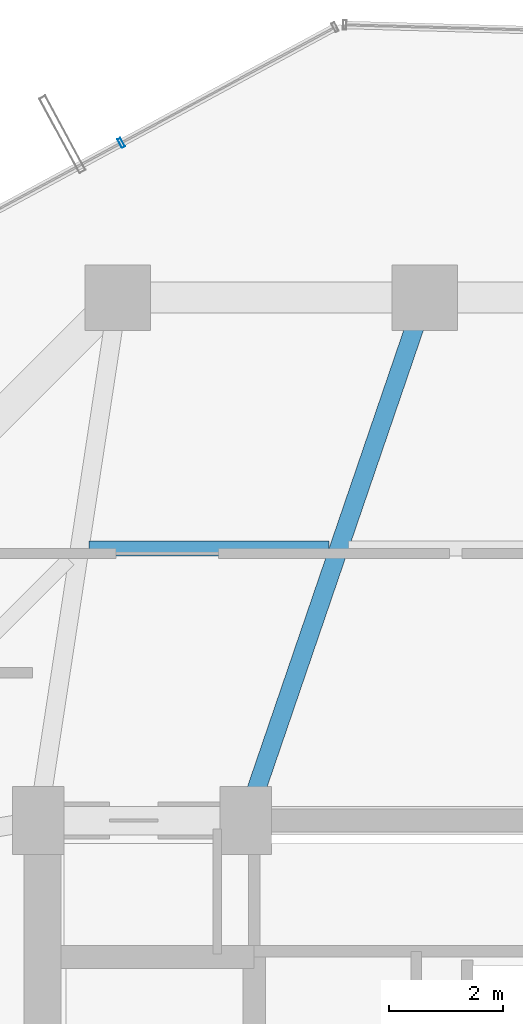
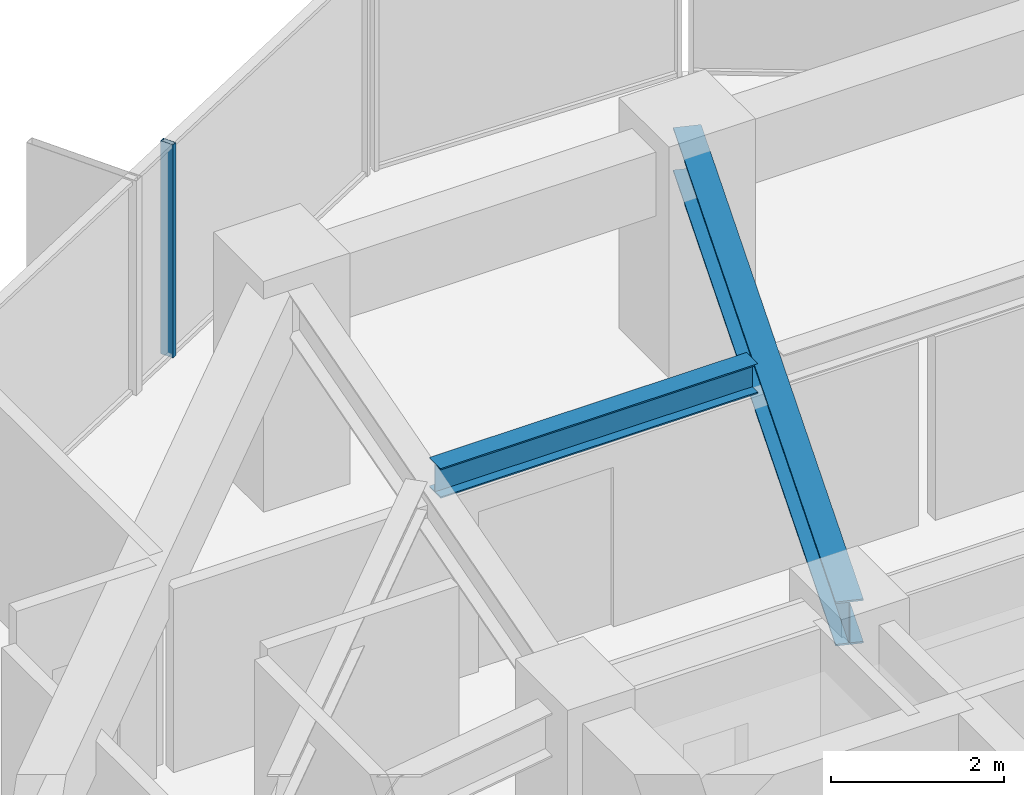
# One storey, part 19 of 30: 2 beams, 1 member, 1 element without a shape of its own.
"""IFC4 building model written with IfcOpenShell, lengths in metres."""

from ifc_helpers import new_model, si_unit, direction, frame, origin, origin_2d, place, context, subcontext, project, spatial, hollow_rectangle, i_section, extrude, source, transform, mapped, material, layer, layer_set, material_profile, profile_set, type_object, element, aggregate, save


model = new_model("IFC4")

# Units and contexts
model_context = context("Model", 3, precision=1e-05, world=origin(), true_north=direction((0.0, 1.0)))
body_context = subcontext(model_context, "Body", "Model", "MODEL_VIEW")
ifc_project = project(units=[si_unit("LENGTHUNIT", "METRE"), si_unit("AREAUNIT", "SQUARE_METRE"), si_unit("VOLUMEUNIT", "CUBIC_METRE"), si_unit("PLANEANGLEUNIT", "RADIAN"), si_unit("MASSUNIT", "GRAM", prefix="KILO")], contexts=[model_context])

# Site, building, storey
site_placement = place(None, origin())
site = spatial("IfcSite", under=ifc_project, at=site_placement, CompositionType="ELEMENT")
building_placement = place(site_placement, origin())
building = spatial("IfcBuilding", under=site, at=building_placement, Name="Veraguas Prism Commons", CompositionType="ELEMENT")
storey_placement = place(building_placement, frame((0.0, 0.0, 123.0)))
storey = spatial("IfcBuildingStorey", under=building, at=storey_placement, Name="L34", CompositionType="ELEMENT", Elevation=123.0)

# Beams
ifc_material_1 = material(Name="Steel ASTM A992 Grade 50", Category="steel")
ifc_material_profile_1 = material_profile(ifc_material_1, i_section(OverallWidth=0.260986328125, OverallDepth=0.419921875, WebThickness=0.01171875, FlangeThickness=0.019287109375, at=origin_2d()), Name="W410X114")
ifc_profile_set_1 = profile_set([ifc_material_profile_1], Name="Steel ASTM A992 Grade 50")
beam_type_1 = type_object("IfcBeamType", Name="Lower Floor Joist W410x114", PredefinedType="JOIST", material=ifc_profile_set_1)
beam_1_placement = place(storey_placement, frame((22.31689453125, 35.783935546875, 2.7900390625), z_axis=(-1.0, 0.0, 0.0), x_axis=(0.0, -1.0, 0.0)))
element("IfcBeam", 1, at=beam_1_placement, inside=storey, type_object=beam_type_1, Name="Composite Floor Joist L34-JS05", PredefinedType="JOIST", context=body_context, shape_type="SweptSolid", body=[
    extrude(i_section(OverallWidth=0.260986328125, OverallDepth=0.419921875, WebThickness=0.01171875, FlangeThickness=0.019287109375, at=origin_2d()), origin(), (0.0, 0.0, 1.0), 4.22509765625),
])
ifc_material_profile_2 = material_profile(ifc_material_1, i_section(OverallWidth=0.327880859375, OverallDepth=0.6220703125, WebThickness=0.015380859375, FlangeThickness=0.0244140625, at=origin_2d()), Name="W610X195")
ifc_profile_set_2 = profile_set([ifc_material_profile_2], Name="Steel ASTM A992 Grade 50")
beam_type_2 = type_object("IfcBeamType", Name="Zone 2 Radial Girder W610x195", PredefinedType="BEAM", material=ifc_profile_set_2)
beam_2_placement = place(storey_placement, frame((24.0, 40.199951171875, 2.68896484375), z_axis=(-0.323922482989, -0.946083624747, 0.0), x_axis=(0.946083624747, -0.323922482989, 0.0)))
element("IfcBeam", 2, at=beam_2_placement, inside=storey, type_object=beam_type_2, Name="Radial Floor Girder L34-RD05", PredefinedType="BEAM", context=body_context, shape_type="SweptSolid", body=[
    extrude(i_section(OverallWidth=0.327880859375, OverallDepth=0.6220703125, WebThickness=0.015380859375, FlangeThickness=0.0244140625, at=origin_2d()), origin(), (0.0, 0.0, 1.0), 9.724365234375),
])

# Curtain wall, member
ifc_material_2 = material(Name="Anodised aluminium EN AW-6063 T6", Category="aluminium")
ifc_layer = layer(ifc_material_2, 0.169921875, Name="Unitised Flush Curtain Wall Zone 2", Category="aluminium")
ifc_layer_set = layer_set([ifc_layer], Name="Anodised aluminium EN AW-6063 T6")
curtain_wall_type = type_object("IfcCurtainWallType", Name="Unitised Flush Curtain Wall Zone 2", PredefinedType="NOTDEFINED", material=ifc_layer_set)
curtain_wall_placement = place(storey_placement, origin())
curtain_wall = element("IfcCurtainWall", 3, at=curtain_wall_placement, inside=storey, type_object=curtain_wall_type, Name="Tower Facade Curtain Wall L34-F2", PredefinedType="NOTDEFINED")
ifc_material_profile_3 = material_profile(ifc_material_2, hollow_rectangle(XDim=0.06005859375, YDim=0.169921875, WallThickness=0.00390625, at=origin_2d()), Name="AL60X170X4")
ifc_profile_set_3 = profile_set([ifc_material_profile_3], Name="Anodised aluminium EN AW-6063 T6")
member_type = type_object("IfcMemberType", Name="Curtain Wall Mullion Lower AL 60x170x4", PredefinedType="MULLION", material=ifc_profile_set_3)
shared_shape = source(origin(), body_context, "Body", "SweptSolid", [
    extrude(hollow_rectangle(XDim=0.06005859375, YDim=0.169921875, WallThickness=0.00390625, at=origin_2d()), origin(), (0.0, 0.0, 1.0), 3.0),
])
member_placement = place(storey_placement, frame((18.65966796875, 42.921142578125, 0.0), z_axis=(0.0, 0.0, 1.0), x_axis=(-0.879484156418, -0.475928165389, 0.0)))
member = element("IfcMember", 4, at=member_placement, type_object=member_type, Name="CW-Z2 Mullion 2", PredefinedType="MULLION", context=body_context, shape_type="MappedRepresentation", body=[
    mapped(shared_shape, transform((0.0, 0.0, 0.0), scale=1.0)),
])
aggregate(curtain_wall, [member])

save(model, "model.ifc")
